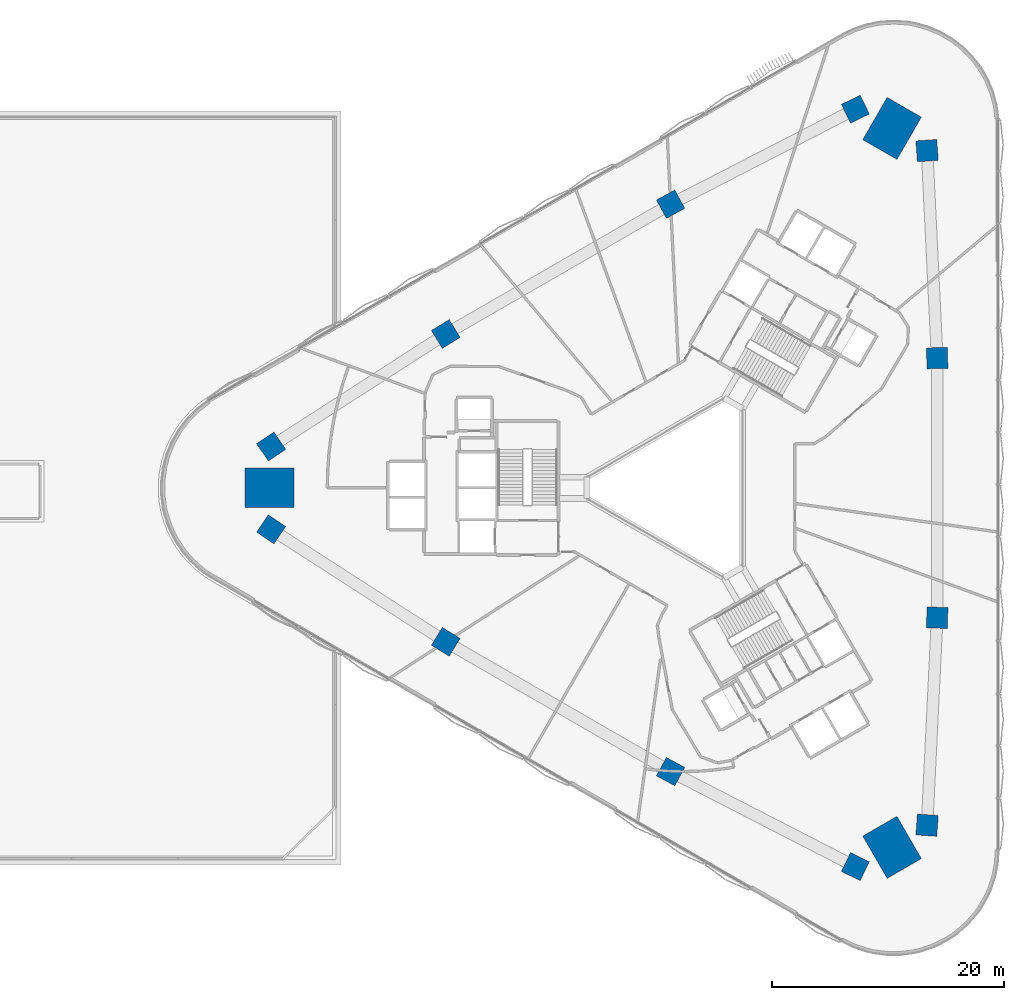
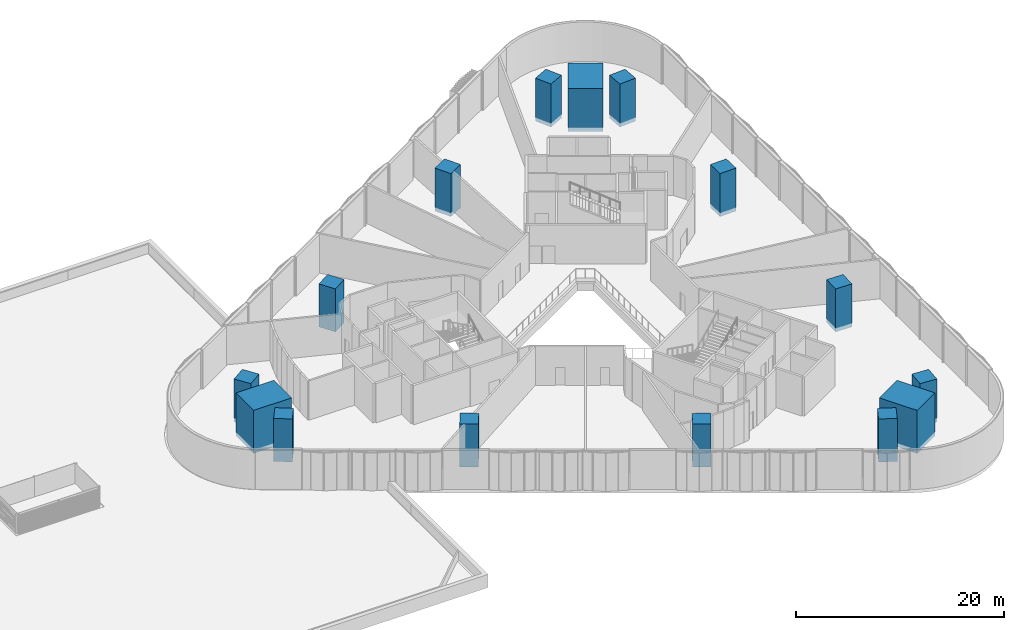
# One storey, part 1 of 14: 15 columns.
"""IFC4 building model written with IfcOpenShell, lengths in metres."""

from ifc_helpers import new_model, si_unit, direction, frame, origin, origin_2d, place, context, subcontext, project, spatial, rectangle, extrude, material, material_profile, profile_set, type_object, element, save


model = new_model("IFC4")

# Units and contexts
model_context = context("Model", 3, precision=1e-05, world=origin(), true_north=direction((0.0, 1.0)))
body_context = subcontext(model_context, "Body", "Model", "MODEL_VIEW")
ifc_project = project(units=[si_unit("LENGTHUNIT", "METRE"), si_unit("AREAUNIT", "SQUARE_METRE"), si_unit("VOLUMEUNIT", "CUBIC_METRE"), si_unit("PLANEANGLEUNIT", "RADIAN"), si_unit("MASSUNIT", "GRAM", prefix="KILO")], contexts=[model_context])

# Site, building, storey
site_placement = place(None, origin())
site = spatial("IfcSite", under=ifc_project, at=site_placement, CompositionType="ELEMENT")
building_placement = place(site_placement, origin())
building = spatial("IfcBuilding", under=site, at=building_placement, Name="Tamra Quay Hotel Tower", CompositionType="ELEMENT")
storey_placement = place(building_placement, frame((0.0, 0.0, 24.5)))
storey = spatial("IfcBuildingStorey", under=building, at=storey_placement, Name="L04", CompositionType="ELEMENT", Elevation=24.5)

# Columns
ifc_material = material(Name="Concrete M70", Category="concrete")
ifc_material_profile_1 = material_profile(ifc_material, rectangle(XDim=4.199951171875, YDim=3.39990234375, at=origin_2d()), Name="MEGA COLUMN RC 3400x4200 Z1")
ifc_profile_set_1 = profile_set([ifc_material_profile_1], Name="Concrete M70")
column_type_1 = type_object("IfcColumnType", Name="MEGA COLUMN RC 3400x4200 Z1", PredefinedType="COLUMN", material=ifc_profile_set_1)
for number, where, z_axis, x_axis, name in (
    (1, (17.864501953125, 30.942138671875, -0.449951171875), (0.0, 0.0, 1.0), (0.5, 0.866025403784, 0.0), "COL-M0NE-L04"),
    (2, (-35.72900390625, 0.0, -0.449951171875), (0.0, 0.0, 1.0), (1.0, 0.0, 0.0), "COL-M0W-L04"),
    (3, (17.864501953125, -30.942138671875, -0.449951171875), (0.0, 0.0, 1.0), (-0.5, 0.866025403784, 0.0), "COL-M0SE-L04"),
):
    element("IfcColumn", number, at=place(storey_placement, frame(where, z_axis=z_axis, x_axis=x_axis)), inside=storey, type_object=column_type_1, Name=name, PredefinedType="COLUMN", context=body_context, shape_type="SweptSolid", body=[
        extrude(rectangle(XDim=4.199951171875, YDim=3.39990234375, at=origin_2d()), origin(), (0.0, 0.0, 1.0), 5.050048828125),
    ])
ifc_material_profile_2 = material_profile(ifc_material, rectangle(XDim=1.800048828125, YDim=1.800048828125, at=origin_2d()), Name="MIDFACE COLUMN RC 1800x1800")
ifc_profile_set_2 = profile_set([ifc_material_profile_2], Name="Concrete M70")
column_type_2 = type_object("IfcColumnType", Name="MIDFACE COLUMN RC 1800x1800", PredefinedType="COLUMN", material=ifc_profile_set_2)
for number, where, z_axis, x_axis, name in (
    (4, (20.87890625, -29.033935546875, -0.449951171875), (0.0, 0.0, 1.0), (-0.997561736499, 0.069789554182, 0.0), "COL-PRE1-L04"),
    (5, (21.7490234375, -11.17431640625, -0.449951171875), (0.0, 0.0, 1.0), (-0.999628128016, 0.02726913418, 0.0), "COL-PRE2-L04"),
    (6, (21.7490234375, 11.17431640625, -0.449951171875), (0.0, 0.0, 1.0), (0.999628128016, 0.02726913418, 0.0), "COL-PRE3-L04"),
    (7, (20.87890625, 29.033935546875, -0.449951171875), (0.0, 0.0, 1.0), (0.997561736499, 0.069789554182, 0.0), "COL-PRE4-L04"),
    (8, (14.70458984375, 32.5986328125, -0.449951171875), (0.0, 0.0, 1.0), (-0.438341341409, 0.898808582743, 0.0), "COL-PRNW1-L04"),
    (9, (-1.197265625, 24.422607421875, -0.449951171875), (0.0, 0.0, 1.0), (-0.476198301069, 0.879337920289, 0.0), "COL-PRNW2-L04"),
    (10, (-20.552001953125, 13.248046875, -0.449951171875), (0.0, 0.0, 1.0), (-0.523429826947, 0.85206878611, 0.0), "COL-PRNW3-L04"),
    (11, (-35.58349609375, 3.564697265625, -0.449951171875), (0.0, 0.0, 1.0), (-0.55922039509, 0.82901902856, 0.0), "COL-PRNW4-L04"),
    (12, (-35.58349609375, -3.564697265625, -0.449951171875), (0.0, 0.0, 1.0), (0.55922039509, 0.82901902856, 0.0), "COL-PRSW1-L04"),
    (13, (-20.552001953125, -13.248046875, -0.449951171875), (0.0, 0.0, 1.0), (0.523429826947, 0.85206878611, 0.0), "COL-PRSW2-L04"),
    (14, (-1.197265625, -24.422607421875, -0.449951171875), (0.0, 0.0, 1.0), (0.476198301069, 0.879337920289, 0.0), "COL-PRSW3-L04"),
    (15, (14.70458984375, -32.5986328125, -0.449951171875), (0.0, 0.0, 1.0), (0.438341341409, 0.898808582743, 0.0), "COL-PRSW4-L04"),
):
    element("IfcColumn", number, at=place(storey_placement, frame(where, z_axis=z_axis, x_axis=x_axis)), inside=storey, type_object=column_type_2, Name=name, PredefinedType="COLUMN", context=body_context, shape_type="SweptSolid", body=[
        extrude(rectangle(XDim=1.800048828125, YDim=1.800048828125, at=origin_2d()), origin(), (0.0, 0.0, 1.0), 5.050048828125),
    ])

save(model, "model.ifc")
